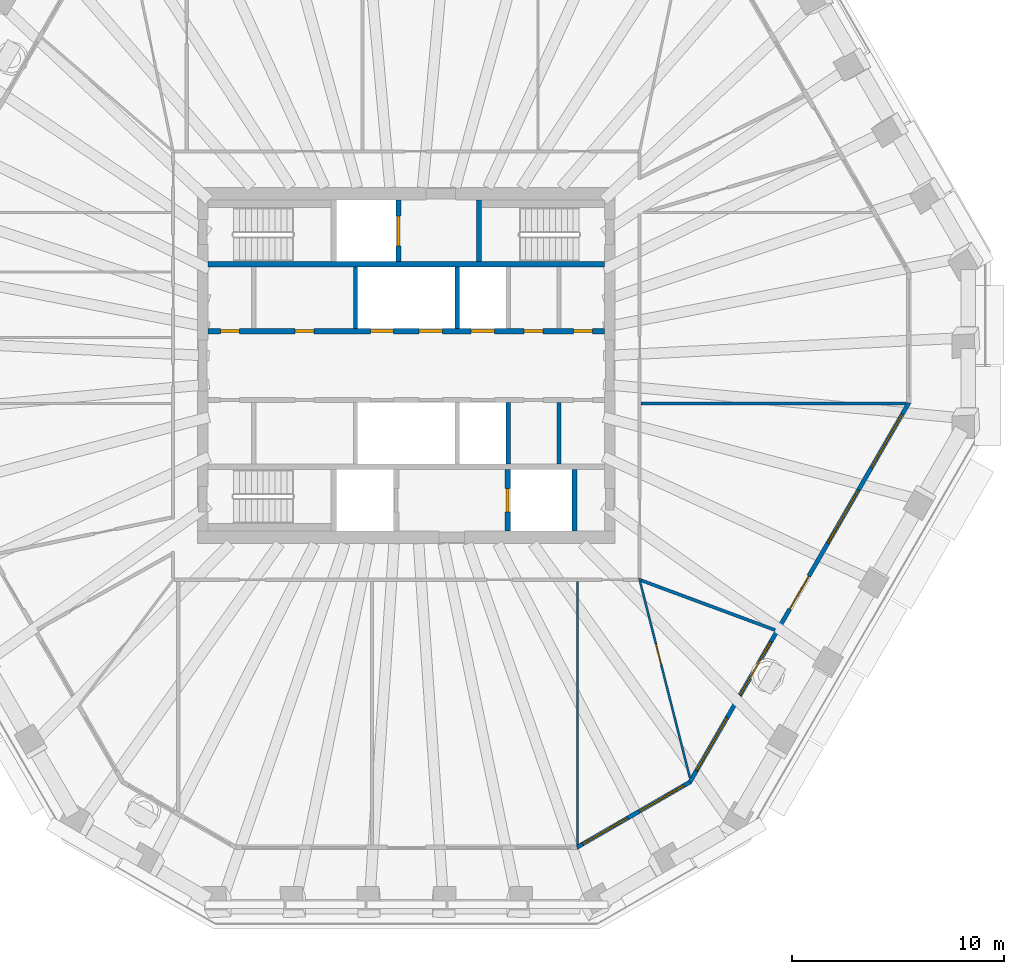
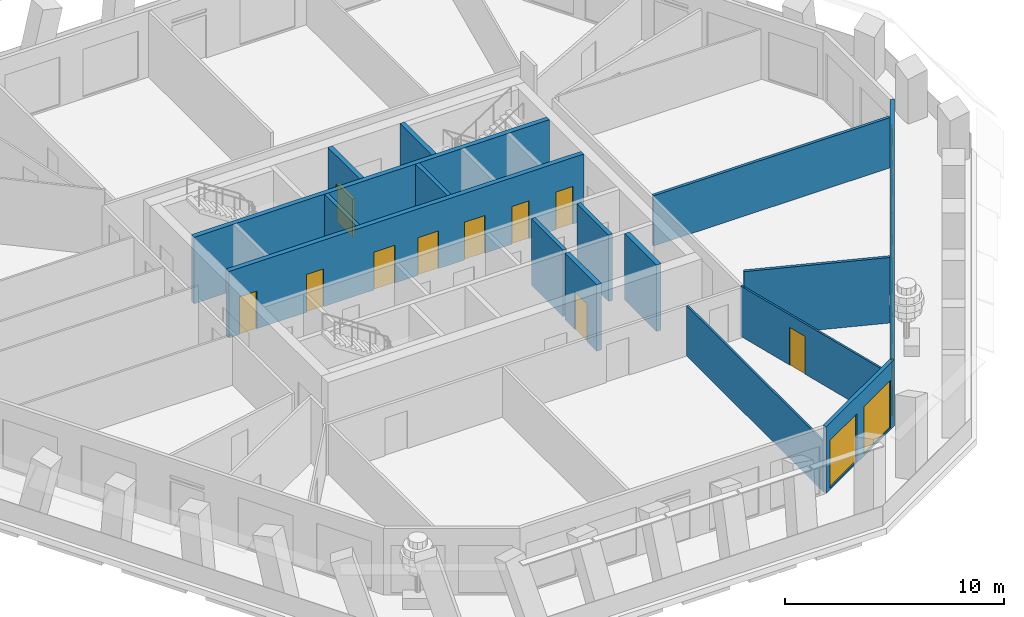
# One storey, part 5 of 12: 16 walls, 11 doors, 7 windows, 18 openings.
"""IFC4 building model written with IfcOpenShell, lengths in metres."""

from ifc_helpers import new_model, si_unit, direction, frame, frame_2d, origin, place, context, subcontext, project, spatial, polyline, rectangle, outline, extrude, material, layer, layer_set, type_object, element, fill, save


model = new_model("IFC4")

# Units and contexts
model_context = context("Model", 3, precision=1e-05, world=origin(), true_north=direction((0.0, 1.0)))
body_context = subcontext(model_context, "Body", "Model", "MODEL_VIEW")
ifc_project = project(units=[si_unit("LENGTHUNIT", "METRE"), si_unit("AREAUNIT", "SQUARE_METRE"), si_unit("VOLUMEUNIT", "CUBIC_METRE"), si_unit("PLANEANGLEUNIT", "RADIAN"), si_unit("MASSUNIT", "GRAM", prefix="KILO")], contexts=[model_context])

# Site, building, storey
site_placement = place(None, origin())
site = spatial("IfcSite", under=ifc_project, at=site_placement, CompositionType="ELEMENT")
building_placement = place(site_placement, origin())
building = spatial("IfcBuilding", under=site, at=building_placement, Name="Frailejon Research Tower", CompositionType="ELEMENT")
storey_placement = place(building_placement, frame((0.0, 0.0, 253.39990234375)))
storey = spatial("IfcBuildingStorey", under=building, at=storey_placement, Name="L55", CompositionType="ELEMENT", Elevation=253.39990234375)

# Walls
ifc_material_1 = material(Name="Gypsum board and masonry partition", Category="masonry")
ifc_layer_1 = layer(ifc_material_1, 0.14990234375)
ifc_layer_set_1 = layer_set([ifc_layer_1], Name="Laboratory partition, blockwork 150")
wall_type_1 = type_object("IfcWallType", Name="Laboratory partition, blockwork 150", PredefinedType="PARTITIONING", material=ifc_layer_set_1)
wall_1_placement = place(storey_placement, frame((11.074951171875, -1.783447265625, 0.0), z_axis=(0.0, 0.0, 1.0), x_axis=(1.0, 0.0, 0.0)))
element("IfcWall", 1, at=wall_1_placement, inside=storey, type_object=wall_type_1, Name="T:IW:L55:011", PredefinedType="PARTITIONING", context=body_context, shape_type="SweptSolid", body=[
    extrude(rectangle(XDim=12.490478515625, YDim=0.14990234375, at=frame_2d((6.2451171875, 0.0))), origin(), (0.0, 0.0, 1.0), 2.800048828125),
])
wall_2_placement = place(storey_placement, frame((11.046875, -10.117431640625, 0.0), z_axis=(0.0, 0.0, 1.0), x_axis=(0.937524105554, -0.347920323501, 0.0)))
element("IfcWall", 2, at=wall_2_placement, inside=storey, type_object=wall_type_1, Name="T:IW:L55:016", PredefinedType="PARTITIONING", context=body_context, shape_type="SweptSolid", body=[
    extrude(rectangle(XDim=6.77001953125, YDim=0.14990234375, at=frame_2d((3.385009765625, 0.0))), origin(), (0.0, 0.0, 1.0), 3.650146484375),
])
ifc_material_2 = material(Name="Gypsum board and masonry partition", Category="masonry")
ifc_layer_2 = layer(ifc_material_2, 0.10009765625)
ifc_layer_set_2 = layer_set([ifc_layer_2], Name="Partition, gypsum on steel studs 100")
wall_type_2 = type_object("IfcWallType", Name="Partition, gypsum on steel studs 100", PredefinedType="PARTITIONING", material=ifc_layer_set_2)
wall_3_placement = place(storey_placement, frame((8.067626953125, -22.589111328125, 0.0), z_axis=(0.0, 0.0, 1.0), x_axis=(0.0, 1.0, 0.0)))
element("IfcWall", 3, at=wall_3_placement, inside=storey, type_object=wall_type_2, Name="T:IW:L55:027", PredefinedType="PARTITIONING", context=body_context, shape_type="SweptSolid", body=[
    extrude(rectangle(XDim=12.4140625, YDim=0.10009765625, at=frame_2d((6.20703125, 0.0))), origin(), (0.0, 0.0, 1.0), 2.800048828125),
])

# Wall, opening, door
wall_4_placement = place(storey_placement, frame((10.9814453125, -10.02734375, 0.0), z_axis=(0.0, 0.0, 1.0), x_axis=(0.246189836145, -0.969221628204, 0.0)))
wall_4 = element("IfcWall", 4, at=wall_4_placement, inside=storey, type_object=wall_type_2, Name="T:IW:L55:028", PredefinedType="PARTITIONING", context=body_context, shape_type="SweptSolid", body=[
    extrude(rectangle(XDim=9.71044921875, YDim=0.10009765625, at=frame_2d((4.855224609375, 0.0))), origin(), (0.0, 0.0, 1.0), 2.800048828125),
])
opening_1_placement = place(wall_4_placement, frame((3.202392578125, 0.0, 0.0)))
opening_1 = element("IfcOpeningElement", 5, at=opening_1_placement, cuts=wall_4, Name="Opening D2089", PredefinedType="OPENING", context=body_context, shape_type="SweptSolid", body=[
    extrude(rectangle(XDim=1.0, YDim=2.10009765625, at=frame_2d((0.5, 1.050048828125))), frame((0.0, 0.06005859375, 0.0), z_axis=(0.0, -1.0, 0.0), x_axis=(1.0, 0.0, 0.0)), (0.0, 0.0, 1.0), 0.1201171875),
])
ifc_material_3 = material(Name="Timber door leaf", Category="wood")
door_type_1 = type_object("IfcDoorType", Name="Door single leaf, timber, steel frame 1000", OperationType="NOTDEFINED", PredefinedType="DOOR", material=ifc_material_3)
door_1_placement = place(opening_1_placement, origin())
door_1 = element("IfcDoor", 6, at=door_1_placement, inside=storey, type_object=door_type_1, Name="D2089", OperationType="SINGLE_SWING_RIGHT", OverallHeight=2.10009765625, OverallWidth=1.0, PredefinedType="DOOR", context=body_context, shape_type="SweptSolid", body=[
    extrude(rectangle(XDim=1.0, YDim=2.10009765625, at=frame_2d((0.5, 1.050048828125))), frame((0.0, 0.02490234375, 0.0), z_axis=(0.0, -1.0, 0.0), x_axis=(1.0, 0.0, 0.0)), (0.0, 0.0, 1.0), 0.050048828125),
])
fill(opening_1, door_1)

# Walls
ifc_material_4 = material(Name="Concrete C50/60", Category="concrete")
ifc_layer_3 = layer(ifc_material_4, 0.199951171875)
ifc_layer_set_3 = layer_set([ifc_layer_3], Name="Shaft wall 200 C50/60")
wall_type_3 = type_object("IfcWallType", Name="Shaft wall 200 C50/60", PredefinedType="SOLIDWALL", material=ifc_layer_set_3)
for number, where, z_axis, x_axis, name in (
    (7, (-2.39990234375, 1.75, 0.0), (0.0, 0.0, 1.0), (0.0, 1.0, 0.0), "Shaft wall"),
    (8, (2.39990234375, 1.75, 0.0), (0.0, 0.0, 1.0), (0.0, 1.0, 0.0), "Shaft wall"),
    (9, (4.800048828125, -4.64990234375, 0.0), (0.0, 0.0, 1.0), (0.0, 1.0, 0.0), "Shaft wall"),
    (10, (7.199951171875, -4.64990234375, 0.0), (0.0, 0.0, 1.0), (0.0, 1.0, 0.0), "Shaft wall"),
):
    element("IfcWall", number, at=place(storey_placement, frame(where, z_axis=z_axis, x_axis=x_axis)), inside=storey, type_object=wall_type_3, Name=name, PredefinedType="SOLIDWALL", context=body_context, shape_type="SweptSolid", body=[
        extrude(rectangle(XDim=2.89990234375, YDim=0.199951171875, at=frame_2d((1.449951171875, 0.0))), origin(), (0.0, 0.0, 1.0), 3.7001953125),
    ])

# Wall, openings, doors
ifc_material_5 = material(Name="Concrete C50/60", Category="concrete")
ifc_layer_4 = layer(ifc_material_5, 0.25)
ifc_layer_set_4 = layer_set([ifc_layer_4], Name="Shaft wall 250 C50/60")
wall_type_4 = type_object("IfcWallType", Name="Shaft wall 250 C50/60", PredefinedType="SOLIDWALL", material=ifc_layer_set_4)
wall_5_placement = place(storey_placement, frame((-9.35009765625, 1.625, 0.0), z_axis=(0.0, 0.0, 1.0), x_axis=(1.0, 0.0, 0.0)))
wall_5 = element("IfcWall", 11, at=wall_5_placement, inside=storey, type_object=wall_type_4, Name="Shaft wall", PredefinedType="SOLIDWALL", context=body_context, shape_type="SweptSolid", body=[
    extrude(rectangle(XDim=18.7001953125, YDim=0.25, at=frame_2d((9.35009765625, 0.0))), origin(), (0.0, 0.0, 1.0), 3.7001953125),
])
opening_2_placement = place(wall_5_placement, frame((7.64990234375, 0.0, 0.0)))
opening_2 = element("IfcOpeningElement", 12, at=opening_2_placement, cuts=wall_5, Name="Opening LD", PredefinedType="OPENING", context=body_context, shape_type="SweptSolid", body=[
    extrude(rectangle(XDim=1.10009765625, YDim=2.10009765625, at=frame_2d((0.550048828125, 1.050048828125))), frame((0.0, 0.135009765625, 0.0), z_axis=(0.0, -1.0, 0.0), x_axis=(1.0, 0.0, 0.0)), (0.0, 0.0, 1.0), 0.27001953125),
])
opening_3_placement = place(wall_5_placement, frame((9.949951171875, 0.0, 0.0)))
opening_3 = element("IfcOpeningElement", 13, at=opening_3_placement, cuts=wall_5, Name="Opening LD", PredefinedType="OPENING", context=body_context, shape_type="SweptSolid", body=[
    extrude(rectangle(XDim=1.10009765625, YDim=2.10009765625, at=frame_2d((0.550048828125, 1.050048828125))), frame((0.0, 0.135009765625, 0.0), z_axis=(0.0, -1.0, 0.0), x_axis=(1.0, 0.0, 0.0)), (0.0, 0.0, 1.0), 0.27001953125),
])
opening_4_placement = place(wall_5_placement, frame((12.39990234375, 0.0, 0.0)))
opening_4 = element("IfcOpeningElement", 14, at=opening_4_placement, cuts=wall_5, Name="Opening LD", PredefinedType="OPENING", context=body_context, shape_type="SweptSolid", body=[
    extrude(rectangle(XDim=1.10009765625, YDim=2.10009765625, at=frame_2d((0.550048828125, 1.050048828125))), frame((0.0, 0.135009765625, 0.0), z_axis=(0.0, -1.0, 0.0), x_axis=(1.0, 0.0, 0.0)), (0.0, 0.0, 1.0), 0.27001953125),
])
opening_5_placement = place(wall_5_placement, frame((0.574951171875, 0.0, 0.0)))
opening_5 = element("IfcOpeningElement", 15, at=opening_5_placement, cuts=wall_5, Name="Opening D8", PredefinedType="OPENING", context=body_context, shape_type="SweptSolid", body=[
    extrude(rectangle(XDim=0.89990234375, YDim=2.10009765625, at=frame_2d((0.449951171875, 1.050048828125))), frame((0.0, 0.135009765625, 0.0), z_axis=(0.0, -1.0, 0.0), x_axis=(1.0, 0.0, 0.0)), (0.0, 0.0, 1.0), 0.27001953125),
])
opening_6_placement = place(wall_5_placement, frame((4.10009765625, 0.0, 0.0)))
opening_6 = element("IfcOpeningElement", 16, at=opening_6_placement, cuts=wall_5, Name="Opening D8", PredefinedType="OPENING", context=body_context, shape_type="SweptSolid", body=[
    extrude(rectangle(XDim=0.89990234375, YDim=2.10009765625, at=frame_2d((0.449951171875, 1.050048828125))), frame((0.0, 0.135009765625, 0.0), z_axis=(0.0, -1.0, 0.0), x_axis=(1.0, 0.0, 0.0)), (0.0, 0.0, 1.0), 0.27001953125),
])
opening_7_placement = place(wall_5_placement, frame((14.89990234375, 0.0, 0.0)))
opening_7 = element("IfcOpeningElement", 17, at=opening_7_placement, cuts=wall_5, Name="Opening D8", PredefinedType="OPENING", context=body_context, shape_type="SweptSolid", body=[
    extrude(rectangle(XDim=0.89990234375, YDim=2.10009765625, at=frame_2d((0.449951171875, 1.050048828125))), frame((0.0, 0.135009765625, 0.0), z_axis=(0.0, -1.0, 0.0), x_axis=(1.0, 0.0, 0.0)), (0.0, 0.0, 1.0), 0.27001953125),
])
opening_8_placement = place(wall_5_placement, frame((17.22509765625, 0.0, 0.0)))
opening_8 = element("IfcOpeningElement", 18, at=opening_8_placement, cuts=wall_5, Name="Opening D8", PredefinedType="OPENING", context=body_context, shape_type="SweptSolid", body=[
    extrude(rectangle(XDim=0.89990234375, YDim=2.10009765625, at=frame_2d((0.449951171875, 1.050048828125))), frame((0.0, 0.135009765625, 0.0), z_axis=(0.0, -1.0, 0.0), x_axis=(1.0, 0.0, 0.0)), (0.0, 0.0, 1.0), 0.27001953125),
])
ifc_material_6 = material(Name="Steel", Category="steel")
door_type_2 = type_object("IfcDoorType", Name="Core room door", OperationType="SINGLE_SWING_LEFT", PredefinedType="DOOR", material=ifc_material_6)
door_2_placement = place(opening_5_placement, origin())
door_2 = element("IfcDoor", 19, at=door_2_placement, inside=storey, type_object=door_type_2, Name="Room door", OperationType="SINGLE_SWING_RIGHT", OverallHeight=2.10009765625, OverallWidth=0.89990234375, PredefinedType="DOOR", context=body_context, shape_type="SweptSolid", body=[
    extrude(rectangle(XDim=0.89990234375, YDim=2.10009765625, at=frame_2d((0.449951171875, 1.050048828125))), frame((0.0, 0.074951171875, 0.0), z_axis=(0.0, -1.0, 0.0), x_axis=(1.0, 0.0, 0.0)), (0.0, 0.0, 1.0), 0.14990234375),
])
fill(opening_5, door_2)
door_3_placement = place(opening_6_placement, origin())
door_3 = element("IfcDoor", 20, at=door_3_placement, inside=storey, type_object=door_type_2, Name="Room door", OperationType="SINGLE_SWING_LEFT", OverallHeight=2.10009765625, OverallWidth=0.89990234375, PredefinedType="DOOR", context=body_context, shape_type="SweptSolid", body=[
    extrude(rectangle(XDim=0.89990234375, YDim=2.10009765625, at=frame_2d((0.449951171875, 1.050048828125))), frame((0.0, 0.074951171875, 0.0), z_axis=(0.0, -1.0, 0.0), x_axis=(1.0, 0.0, 0.0)), (0.0, 0.0, 1.0), 0.14990234375),
])
fill(opening_6, door_3)
door_4_placement = place(opening_7_placement, origin())
door_4 = element("IfcDoor", 21, at=door_4_placement, inside=storey, type_object=door_type_2, Name="Room door", OperationType="SINGLE_SWING_RIGHT", OverallHeight=2.10009765625, OverallWidth=0.89990234375, PredefinedType="DOOR", context=body_context, shape_type="SweptSolid", body=[
    extrude(rectangle(XDim=0.89990234375, YDim=2.10009765625, at=frame_2d((0.449951171875, 1.050048828125))), frame((0.0, 0.074951171875, 0.0), z_axis=(0.0, -1.0, 0.0), x_axis=(1.0, 0.0, 0.0)), (0.0, 0.0, 1.0), 0.14990234375),
])
fill(opening_7, door_4)
door_5_placement = place(opening_8_placement, origin())
door_5 = element("IfcDoor", 22, at=door_5_placement, inside=storey, type_object=door_type_2, Name="Room door", OperationType="SINGLE_SWING_LEFT", OverallHeight=2.10009765625, OverallWidth=0.89990234375, PredefinedType="DOOR", context=body_context, shape_type="SweptSolid", body=[
    extrude(rectangle(XDim=0.89990234375, YDim=2.10009765625, at=frame_2d((0.449951171875, 1.050048828125))), frame((0.0, 0.074951171875, 0.0), z_axis=(0.0, -1.0, 0.0), x_axis=(1.0, 0.0, 0.0)), (0.0, 0.0, 1.0), 0.14990234375),
])
fill(opening_8, door_5)
ifc_material_7 = material(Name="Steel", Category="steel")
door_type_3 = type_object("IfcDoorType", Name="Lift landing door", OperationType="DOUBLE_DOOR_SLIDING", PredefinedType="DOOR", material=ifc_material_7)
door_6_placement = place(opening_2_placement, origin())
door_6 = element("IfcDoor", 23, at=door_6_placement, inside=storey, type_object=door_type_3, Name="Lift landing door", OperationType="DOUBLE_DOOR_SLIDING", OverallHeight=2.10009765625, OverallWidth=1.10009765625, PredefinedType="DOOR", context=body_context, shape_type="SweptSolid", body=[
    extrude(rectangle(XDim=1.10009765625, YDim=2.10009765625, at=frame_2d((0.550048828125, 1.050048828125))), frame((0.0, 0.074951171875, 0.0), z_axis=(0.0, -1.0, 0.0), x_axis=(1.0, 0.0, 0.0)), (0.0, 0.0, 1.0), 0.14990234375),
])
fill(opening_2, door_6)
door_7_placement = place(opening_3_placement, origin())
door_7 = element("IfcDoor", 24, at=door_7_placement, inside=storey, type_object=door_type_3, Name="Lift landing door", OperationType="DOUBLE_DOOR_SLIDING", OverallHeight=2.10009765625, OverallWidth=1.10009765625, PredefinedType="DOOR", context=body_context, shape_type="SweptSolid", body=[
    extrude(rectangle(XDim=1.10009765625, YDim=2.10009765625, at=frame_2d((0.550048828125, 1.050048828125))), frame((0.0, 0.074951171875, 0.0), z_axis=(0.0, -1.0, 0.0), x_axis=(1.0, 0.0, 0.0)), (0.0, 0.0, 1.0), 0.14990234375),
])
fill(opening_3, door_7)
door_8_placement = place(opening_4_placement, origin())
door_8 = element("IfcDoor", 25, at=door_8_placement, inside=storey, type_object=door_type_3, Name="Lift landing door", OperationType="DOUBLE_DOOR_SLIDING", OverallHeight=2.10009765625, OverallWidth=1.10009765625, PredefinedType="DOOR", context=body_context, shape_type="SweptSolid", body=[
    extrude(rectangle(XDim=1.10009765625, YDim=2.10009765625, at=frame_2d((0.550048828125, 1.050048828125))), frame((0.0, 0.074951171875, 0.0), z_axis=(0.0, -1.0, 0.0), x_axis=(1.0, 0.0, 0.0)), (0.0, 0.0, 1.0), 0.14990234375),
])
fill(opening_4, door_8)

# Wall
wall_6_placement = place(storey_placement, frame((-9.35009765625, 4.77490234375, 0.0), z_axis=(0.0, 0.0, 1.0), x_axis=(1.0, 0.0, 0.0)))
element("IfcWall", 26, at=wall_6_placement, inside=storey, type_object=wall_type_4, Name="Shaft wall", PredefinedType="SOLIDWALL", context=body_context, shape_type="SweptSolid", body=[
    extrude(rectangle(XDim=18.7001953125, YDim=0.25, at=frame_2d((9.35009765625, 0.0))), origin(), (0.0, 0.0, 1.0), 3.7001953125),
])

# Wall, opening, door
wall_7_placement = place(storey_placement, frame((-0.375, 4.89990234375, 0.0), z_axis=(0.0, 0.0, 1.0), x_axis=(0.0, 1.0, 0.0)))
wall_7 = element("IfcWall", 27, at=wall_7_placement, inside=storey, type_object=wall_type_4, Name="Shaft wall", PredefinedType="SOLIDWALL", context=body_context, shape_type="SweptSolid", body=[
    extrude(rectangle(XDim=2.900146484375, YDim=0.25, at=frame_2d((1.4501953125, 0.0))), origin(), (0.0, 0.0, 1.0), 3.7001953125),
])
opening_9_placement = place(wall_7_placement, frame((0.75, 0.0, 0.0)))
opening_9 = element("IfcOpeningElement", 28, at=opening_9_placement, cuts=wall_7, Name="Opening LD2", PredefinedType="OPENING", context=body_context, shape_type="SweptSolid", body=[
    extrude(rectangle(XDim=1.39990234375, YDim=2.10009765625, at=frame_2d((0.699951171875, 1.050048828125))), frame((0.0, 0.135009765625, 0.0), z_axis=(0.0, -1.0, 0.0), x_axis=(1.0, 0.0, 0.0)), (0.0, 0.0, 1.0), 0.27001953125),
])
ifc_material_8 = material(Name="Stainless steel", Category="steel")
door_type_4 = type_object("IfcDoorType", Name="Goods landing door", OperationType="DOUBLE_DOOR_SLIDING", PredefinedType="DOOR", material=ifc_material_8)
door_9_placement = place(opening_9_placement, origin())
door_9 = element("IfcDoor", 29, at=door_9_placement, inside=storey, type_object=door_type_4, Name="Lift landing door", OperationType="DOUBLE_DOOR_SLIDING", OverallHeight=2.10009765625, OverallWidth=1.39990234375, PredefinedType="DOOR", context=body_context, shape_type="SweptSolid", body=[
    extrude(rectangle(XDim=1.39990234375, YDim=2.10009765625, at=frame_2d((0.699951171875, 1.050048828125))), frame((0.0, 0.074951171875, 0.0), z_axis=(0.0, -1.0, 0.0), x_axis=(1.0, 0.0, 0.0)), (0.0, 0.0, 1.0), 0.14990234375),
])
fill(opening_9, door_9)

# Wall
wall_8_placement = place(storey_placement, frame((3.425048828125, 4.89990234375, 0.0), z_axis=(0.0, 0.0, 1.0), x_axis=(0.0, 1.0, 0.0)))
element("IfcWall", 30, at=wall_8_placement, inside=storey, type_object=wall_type_4, Name="Shaft wall", PredefinedType="SOLIDWALL", context=body_context, shape_type="SweptSolid", body=[
    extrude(rectangle(XDim=2.900146484375, YDim=0.25, at=frame_2d((1.4501953125, 0.0))), origin(), (0.0, 0.0, 1.0), 3.7001953125),
])

# Wall, opening, door
wall_9_placement = place(storey_placement, frame((4.77490234375, -7.800048828125, 0.0), z_axis=(0.0, 0.0, 1.0), x_axis=(0.0, 1.0, 0.0)))
wall_9 = element("IfcWall", 31, at=wall_9_placement, inside=storey, type_object=wall_type_4, Name="Shaft wall", PredefinedType="SOLIDWALL", context=body_context, shape_type="SweptSolid", body=[
    extrude(rectangle(XDim=2.900146484375, YDim=0.25, at=frame_2d((1.4501953125, 0.0))), origin(), (0.0, 0.0, 1.0), 3.7001953125),
])
opening_10_placement = place(wall_9_placement, frame((0.89990234375, 0.0, 0.0)))
opening_10 = element("IfcOpeningElement", 32, at=opening_10_placement, cuts=wall_9, Name="Opening LD", PredefinedType="OPENING", context=body_context, shape_type="SweptSolid", body=[
    extrude(rectangle(XDim=1.10009765625, YDim=2.10009765625, at=frame_2d((0.550048828125, 1.050048828125))), frame((0.0, 0.135009765625, 0.0), z_axis=(0.0, -1.0, 0.0), x_axis=(1.0, 0.0, 0.0)), (0.0, 0.0, 1.0), 0.27001953125),
])
door_10_placement = place(opening_10_placement, origin())
door_10 = element("IfcDoor", 33, at=door_10_placement, inside=storey, type_object=door_type_3, Name="Lift landing door", OperationType="DOUBLE_DOOR_SLIDING", OverallHeight=2.10009765625, OverallWidth=1.10009765625, PredefinedType="DOOR", context=body_context, shape_type="SweptSolid", body=[
    extrude(rectangle(XDim=1.10009765625, YDim=2.10009765625, at=frame_2d((0.550048828125, 1.050048828125))), frame((0.0, 0.074951171875, 0.0), z_axis=(0.0, -1.0, 0.0), x_axis=(1.0, 0.0, 0.0)), (0.0, 0.0, 1.0), 0.14990234375),
])
fill(opening_10, door_10)

# Wall
wall_10_placement = place(storey_placement, frame((7.925048828125, -7.800048828125, 0.0), z_axis=(0.0, 0.0, 1.0), x_axis=(0.0, 1.0, 0.0)))
element("IfcWall", 34, at=wall_10_placement, inside=storey, type_object=wall_type_4, Name="Shaft wall", PredefinedType="SOLIDWALL", context=body_context, shape_type="SweptSolid", body=[
    extrude(rectangle(XDim=2.900146484375, YDim=0.25, at=frame_2d((1.4501953125, 0.0))), origin(), (0.0, 0.0, 1.0), 3.7001953125),
])

# Wall, openings, windows
ifc_material_9 = material(Name="Concrete C40/50 precast window wall panel", Category="concrete")
ifc_layer_5 = layer(ifc_material_9, 0.199951171875)
ifc_layer_set_5 = layer_set([ifc_layer_5], Name="Window wall 200")
wall_type_5 = type_object("IfcWallType", Name="Window wall 200", PredefinedType="SOLIDWALL", material=ifc_layer_set_5)
wall_11_placement = place(storey_placement, frame((8.041015625, -22.719970703125, 0.0), z_axis=(0.0, 0.0, 1.0), x_axis=(0.866002544807, 0.50003959082, 0.0)))
wall_11 = element("IfcWall", 35, at=wall_11_placement, inside=storey, type_object=wall_type_5, Name="Exterior wall L55", PredefinedType="SOLIDWALL", context=body_context, shape_type="SweptSolid", body=[
    extrude(outline(polyline([(-0.02685546875, -0.10009765625), (1.007568359375, -0.10009765625), (2.0419921875, -0.10009765625), (3.076416015625, -0.10009765625), (4.11083984375, -0.10009765625), (5.145263671875, -0.10009765625), (6.1796875, -0.10009765625), (6.1259765625, 0.10009765625), (5.109375, 0.10009765625), (4.093017578125, 0.10009765625), (3.076416015625, 0.10009765625), (2.059814453125, 0.10009765625), (1.04345703125, 0.10009765625), (0.02685546875, 0.10009765625), (-0.02685546875, -0.10009765625)])), origin(), (0.0, 0.0, 1.0), 3.7001953125),
])
opening_11_placement = place(wall_11_placement, frame((0.313232421875, 0.0, 0.10009765625)))
opening_11 = element("IfcOpeningElement", 36, at=opening_11_placement, cuts=wall_11, Name="Opening W17", PredefinedType="OPENING", context=body_context, shape_type="SweptSolid", body=[
    extrude(rectangle(XDim=2.449951171875, YDim=2.64990234375, at=frame_2d((1.22509765625, 1.324951171875))), frame((0.0, 0.10986328125, 0.0), z_axis=(0.0, -1.0, 0.0), x_axis=(1.0, 0.0, 0.0)), (0.0, 0.0, 1.0), 0.219970703125),
])
opening_12_placement = place(wall_11_placement, frame((3.3896484375, 0.0, 0.10009765625)))
opening_12 = element("IfcOpeningElement", 37, at=opening_12_placement, cuts=wall_11, Name="Opening W17", PredefinedType="OPENING", context=body_context, shape_type="SweptSolid", body=[
    extrude(rectangle(XDim=2.449951171875, YDim=2.64990234375, at=frame_2d((1.22509765625, 1.324951171875))), frame((0.0, 0.10986328125, 0.0), z_axis=(0.0, -1.0, 0.0), x_axis=(1.0, 0.0, 0.0)), (0.0, 0.0, 1.0), 0.219970703125),
])
ifc_material_10 = material(Name="Aluminium framed double glazing", Category="aluminium")
window_type_1 = type_object("IfcWindowType", Name="Window 2450x2650", PartitioningType="SINGLE_PANEL", PredefinedType="WINDOW", material=ifc_material_10)
window_1_placement = place(opening_11_placement, origin())
window_1 = element("IfcWindow", 38, at=window_1_placement, inside=storey, type_object=window_type_1, Name="Window L55", OverallHeight=2.64990234375, OverallWidth=2.449951171875, PartitioningType="SINGLE_PANEL", PredefinedType="WINDOW", context=body_context, shape_type="SweptSolid", body=[
    extrude(rectangle(XDim=2.449951171875, YDim=2.64990234375, at=frame_2d((1.22509765625, 1.324951171875))), frame((0.0, 0.030029296875, 0.0), z_axis=(0.0, -1.0, 0.0), x_axis=(1.0, 0.0, 0.0)), (0.0, 0.0, 1.0), 0.06005859375),
])
fill(opening_11, window_1)
window_2_placement = place(opening_12_placement, origin())
window_2 = element("IfcWindow", 39, at=window_2_placement, inside=storey, type_object=window_type_1, Name="Window L55", OverallHeight=2.64990234375, OverallWidth=2.449951171875, PartitioningType="SINGLE_PANEL", PredefinedType="WINDOW", context=body_context, shape_type="SweptSolid", body=[
    extrude(rectangle(XDim=2.449951171875, YDim=2.64990234375, at=frame_2d((1.22509765625, 1.324951171875))), frame((0.0, 0.030029296875, 0.0), z_axis=(0.0, -1.0, 0.0), x_axis=(1.0, 0.0, 0.0)), (0.0, 0.0, 1.0), 0.06005859375),
])
fill(opening_12, window_2)

# Wall, openings, door, windows
wall_12_placement = place(storey_placement, frame((13.369384765625, -19.643310546875, 0.0), z_axis=(0.0, 0.0, 1.0), x_axis=(0.500000087574, 0.866025353224, 0.0)))
wall_12 = element("IfcWall", 40, at=wall_12_placement, inside=storey, type_object=wall_type_5, Name="Exterior wall L55", PredefinedType="SOLIDWALL", context=body_context, shape_type="SweptSolid", body=[
    extrude(outline(polyline([(-0.02685546875, -0.10009765625), (1.008544921875, -0.10009765625), (2.0439453125, -0.10009765625), (3.079345703125, -0.10009765625), (4.11474609375, -0.10009765625), (5.14990234375, -0.10009765625), (6.185302734375, -0.10009765625), (7.220703125, -0.10009765625), (8.256103515625, -0.10009765625), (9.29150390625, -0.10009765625), (10.326904296875, -0.10009765625), (11.3623046875, -0.10009765625), (12.397705078125, -0.10009765625), (13.43310546875, -0.10009765625), (14.468505859375, -0.10009765625), (15.50390625, -0.10009765625), (16.5390625, -0.10009765625), (17.574462890625, -0.10009765625), (18.60986328125, -0.10009765625), (19.645263671875, -0.10009765625), (20.6806640625, -0.10009765625), (20.626953125, 0.10009765625), (19.596923828125, 0.10009765625), (18.56689453125, 0.10009765625), (17.536865234375, 0.10009765625), (16.5068359375, 0.10009765625), (15.47705078125, 0.10009765625), (14.447021484375, 0.10009765625), (13.4169921875, 0.10009765625), (12.386962890625, 0.10009765625), (11.35693359375, 0.10009765625), (10.326904296875, 0.10009765625), (9.296875, 0.10009765625), (8.266845703125, 0.10009765625), (7.23681640625, 0.10009765625), (6.206787109375, 0.10009765625), (5.1767578125, 0.10009765625), (4.14697265625, 0.10009765625), (3.116943359375, 0.10009765625), (2.0869140625, 0.10009765625), (1.056884765625, 0.10009765625), (0.02685546875, 0.10009765625), (-0.02685546875, -0.10009765625)])), origin(), (0.0, 0.0, 1.0), 3.7001953125),
])
opening_13_placement = place(wall_12_placement, frame((0.615478515625, 0.0, 0.10009765625)))
opening_13 = element("IfcOpeningElement", 41, at=opening_13_placement, cuts=wall_12, Name="Opening W20", PredefinedType="OPENING", context=body_context, shape_type="SweptSolid", body=[
    extrude(rectangle(XDim=2.89990234375, YDim=2.64990234375, at=frame_2d((1.449951171875, 1.324951171875))), frame((0.0, 0.10986328125, 0.0), z_axis=(0.0, -1.0, 0.0), x_axis=(1.0, 0.0, 0.0)), (0.0, 0.0, 1.0), 0.219970703125),
])
opening_14_placement = place(wall_12_placement, frame((4.74609375, 0.0, 0.10009765625)))
opening_14 = element("IfcOpeningElement", 42, at=opening_14_placement, cuts=wall_12, Name="Opening W20", PredefinedType="OPENING", context=body_context, shape_type="SweptSolid", body=[
    extrude(rectangle(XDim=2.89990234375, YDim=2.64990234375, at=frame_2d((1.449951171875, 1.324951171875))), frame((0.0, 0.10986328125, 0.0), z_axis=(0.0, -1.0, 0.0), x_axis=(1.0, 0.0, 0.0)), (0.0, 0.0, 1.0), 0.219970703125),
])
opening_15_placement = place(wall_12_placement, frame((9.427001953125, 0.0, 0.0)))
opening_15 = element("IfcOpeningElement", 43, at=opening_15_placement, cuts=wall_12, Name="Opening LG55-6", PredefinedType="OPENING", context=body_context, shape_type="SweptSolid", body=[
    extrude(rectangle(XDim=1.800048828125, YDim=2.39990234375, at=frame_2d((0.89990234375, 1.199951171875))), frame((0.0, 0.10986328125, 0.0), z_axis=(0.0, -1.0, 0.0), x_axis=(1.0, 0.0, 0.0)), (0.0, 0.0, 1.0), 0.219970703125),
])
opening_16_placement = place(wall_12_placement, frame((9.427001953125, 0.0, 2.550048828125)))
opening_16 = element("IfcOpeningElement", 44, at=opening_16_placement, cuts=wall_12, Name="Opening W19", PredefinedType="OPENING", context=body_context, shape_type="SweptSolid", body=[
    extrude(rectangle(XDim=1.800048828125, YDim=0.199951171875, at=frame_2d((0.89990234375, 0.10009765625))), frame((0.0, 0.10986328125, 0.0), z_axis=(0.0, -1.0, 0.0), x_axis=(1.0, 0.0, 0.0)), (0.0, 0.0, 1.0), 0.219970703125),
])
opening_17_placement = place(wall_12_placement, frame((13.0078125, 0.0, 0.10009765625)))
opening_17 = element("IfcOpeningElement", 45, at=opening_17_placement, cuts=wall_12, Name="Opening W20", PredefinedType="OPENING", context=body_context, shape_type="SweptSolid", body=[
    extrude(rectangle(XDim=2.89990234375, YDim=2.64990234375, at=frame_2d((1.449951171875, 1.324951171875))), frame((0.0, 0.10986328125, 0.0), z_axis=(0.0, -1.0, 0.0), x_axis=(1.0, 0.0, 0.0)), (0.0, 0.0, 1.0), 0.219970703125),
])
opening_18_placement = place(wall_12_placement, frame((17.138671875, 0.0, 0.10009765625)))
opening_18 = element("IfcOpeningElement", 46, at=opening_18_placement, cuts=wall_12, Name="Opening W20", PredefinedType="OPENING", context=body_context, shape_type="SweptSolid", body=[
    extrude(rectangle(XDim=2.89990234375, YDim=2.64990234375, at=frame_2d((1.449951171875, 1.324951171875))), frame((0.0, 0.10986328125, 0.0), z_axis=(0.0, -1.0, 0.0), x_axis=(1.0, 0.0, 0.0)), (0.0, 0.0, 1.0), 0.219970703125),
])
ifc_material_11 = material(Name="Aluminium framed glazed door leaf", Category="aluminium")
door_type_5 = type_object("IfcDoorType", Name="Loggia door 1800x2400", OperationType="DOUBLE_DOOR_SINGLE_SWING", PredefinedType="DOOR", material=ifc_material_11)
door_11_placement = place(opening_15_placement, origin())
door_11 = element("IfcDoor", 47, at=door_11_placement, inside=storey, type_object=door_type_5, Name="Door LG55-6", OperationType="DOUBLE_DOOR_SINGLE_SWING", OverallHeight=2.39990234375, OverallWidth=1.800048828125, PredefinedType="DOOR", context=body_context, shape_type="SweptSolid", body=[
    extrude(rectangle(XDim=1.800048828125, YDim=2.39990234375, at=frame_2d((0.89990234375, 1.199951171875))), frame((0.0, 0.02490234375, 0.0), z_axis=(0.0, -1.0, 0.0), x_axis=(1.0, 0.0, 0.0)), (0.0, 0.0, 1.0), 0.050048828125),
])
fill(opening_15, door_11)
ifc_material_12 = material(Name="Aluminium framed double glazing", Category="aluminium")
window_type_2 = type_object("IfcWindowType", Name="Window 1800x200", PartitioningType="SINGLE_PANEL", PredefinedType="WINDOW", material=ifc_material_12)
window_3_placement = place(opening_16_placement, origin())
window_3 = element("IfcWindow", 48, at=window_3_placement, inside=storey, type_object=window_type_2, Name="Window L55", OverallHeight=0.199951171875, OverallWidth=1.800048828125, PartitioningType="SINGLE_PANEL", PredefinedType="WINDOW", context=body_context, shape_type="SweptSolid", body=[
    extrude(rectangle(XDim=1.800048828125, YDim=0.199951171875, at=frame_2d((0.89990234375, 0.10009765625))), frame((0.0, 0.030029296875, 0.0), z_axis=(0.0, -1.0, 0.0), x_axis=(1.0, 0.0, 0.0)), (0.0, 0.0, 1.0), 0.06005859375),
])
fill(opening_16, window_3)
ifc_material_13 = material(Name="Aluminium framed double glazing", Category="aluminium")
window_type_3 = type_object("IfcWindowType", Name="Window 2900x2650", PartitioningType="SINGLE_PANEL", PredefinedType="WINDOW", material=ifc_material_13)
window_4_placement = place(opening_13_placement, origin())
window_4 = element("IfcWindow", 49, at=window_4_placement, inside=storey, type_object=window_type_3, Name="Window L55", OverallHeight=2.64990234375, OverallWidth=2.89990234375, PartitioningType="SINGLE_PANEL", PredefinedType="WINDOW", context=body_context, shape_type="SweptSolid", body=[
    extrude(rectangle(XDim=2.89990234375, YDim=2.64990234375, at=frame_2d((1.449951171875, 1.324951171875))), frame((0.0, 0.030029296875, 0.0), z_axis=(0.0, -1.0, 0.0), x_axis=(1.0, 0.0, 0.0)), (0.0, 0.0, 1.0), 0.06005859375),
])
fill(opening_13, window_4)
window_5_placement = place(opening_14_placement, origin())
window_5 = element("IfcWindow", 50, at=window_5_placement, inside=storey, type_object=window_type_3, Name="Window L55", OverallHeight=2.64990234375, OverallWidth=2.89990234375, PartitioningType="SINGLE_PANEL", PredefinedType="WINDOW", context=body_context, shape_type="SweptSolid", body=[
    extrude(rectangle(XDim=2.89990234375, YDim=2.64990234375, at=frame_2d((1.449951171875, 1.324951171875))), frame((0.0, 0.030029296875, 0.0), z_axis=(0.0, -1.0, 0.0), x_axis=(1.0, 0.0, 0.0)), (0.0, 0.0, 1.0), 0.06005859375),
])
fill(opening_14, window_5)
window_6_placement = place(opening_17_placement, origin())
window_6 = element("IfcWindow", 51, at=window_6_placement, inside=storey, type_object=window_type_3, Name="Window L55", OverallHeight=2.64990234375, OverallWidth=2.89990234375, PartitioningType="SINGLE_PANEL", PredefinedType="WINDOW", context=body_context, shape_type="SweptSolid", body=[
    extrude(rectangle(XDim=2.89990234375, YDim=2.64990234375, at=frame_2d((1.449951171875, 1.324951171875))), frame((0.0, 0.030029296875, 0.0), z_axis=(0.0, -1.0, 0.0), x_axis=(1.0, 0.0, 0.0)), (0.0, 0.0, 1.0), 0.06005859375),
])
fill(opening_17, window_6)
window_7_placement = place(opening_18_placement, origin())
window_7 = element("IfcWindow", 52, at=window_7_placement, inside=storey, type_object=window_type_3, Name="Window L55", OverallHeight=2.64990234375, OverallWidth=2.89990234375, PartitioningType="SINGLE_PANEL", PredefinedType="WINDOW", context=body_context, shape_type="SweptSolid", body=[
    extrude(rectangle(XDim=2.89990234375, YDim=2.64990234375, at=frame_2d((1.449951171875, 1.324951171875))), frame((0.0, 0.030029296875, 0.0), z_axis=(0.0, -1.0, 0.0), x_axis=(1.0, 0.0, 0.0)), (0.0, 0.0, 1.0), 0.06005859375),
])
fill(opening_18, window_7)

save(model, "model.ifc")
